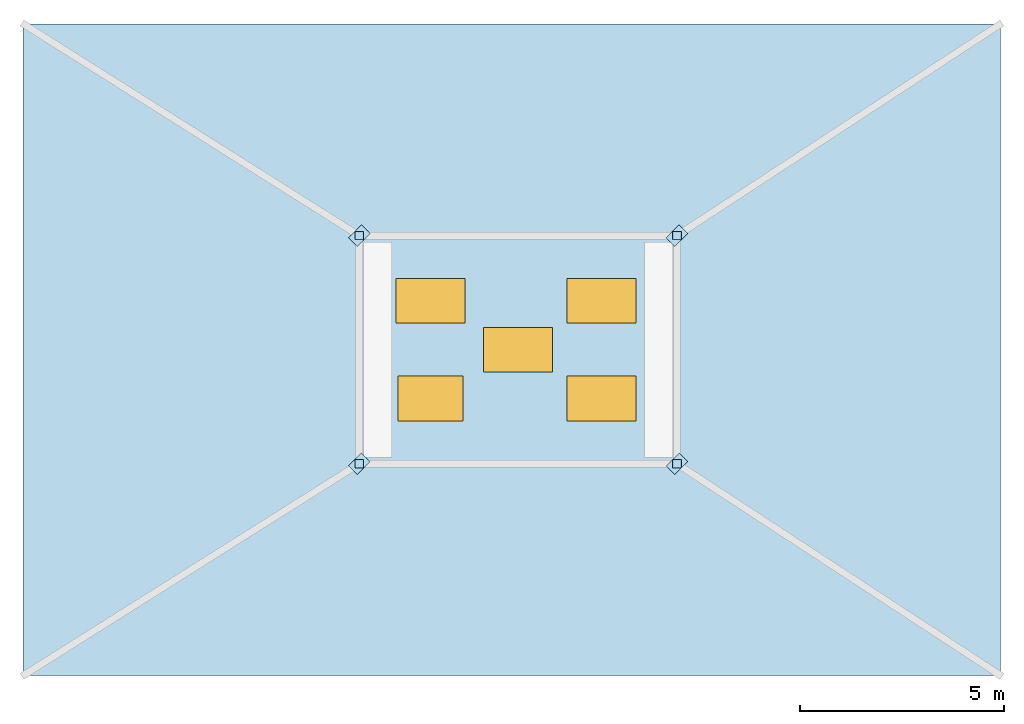
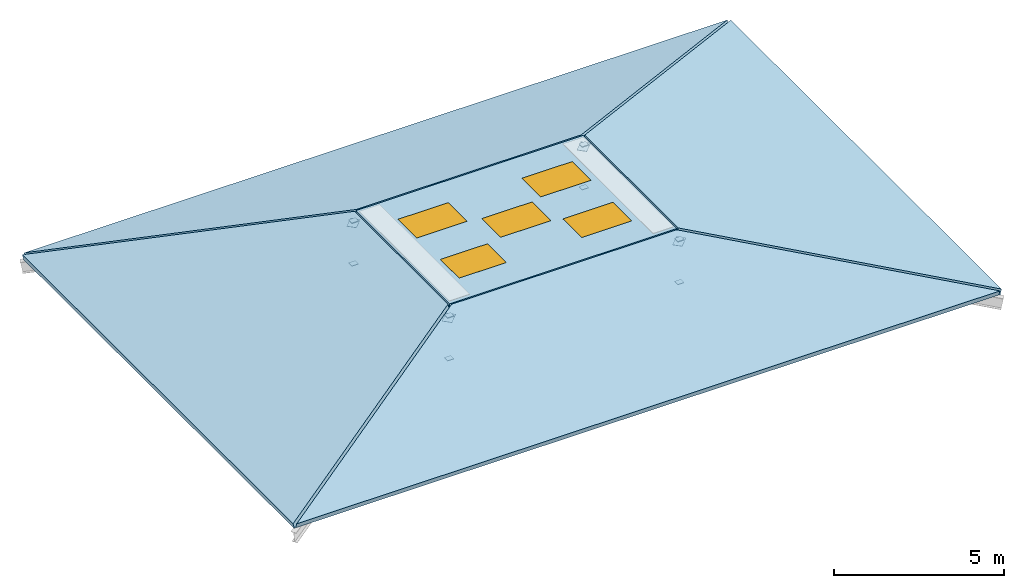
# One storey, part 4 of 5: 12 plates, 5 slabs, 5 windows, 5 openings.
"""IFC4 building model written with IfcOpenShell, lengths in metres."""

from ifc_helpers import new_model, si_unit, direction, frame, origin, origin_2d, place, context, subcontext, project, spatial, polyline, rectangle, outline, extrude, material, layer, layer_set, type_object, element, fill, save


model = new_model("IFC4")

# Units and contexts
model_context = context("Model", 3, precision=1e-05, world=origin(), true_north=direction((0.0, 1.0)))
body_context = subcontext(model_context, "Body", "Model", "MODEL_VIEW")
ifc_project = project(units=[si_unit("LENGTHUNIT", "METRE"), si_unit("AREAUNIT", "SQUARE_METRE"), si_unit("VOLUMEUNIT", "CUBIC_METRE"), si_unit("PLANEANGLEUNIT", "RADIAN"), si_unit("MASSUNIT", "GRAM", prefix="KILO")], contexts=[model_context])

# Site, building, storey
site_placement = place(None, origin())
site = spatial("IfcSite", under=ifc_project, at=site_placement, CompositionType="ELEMENT")
building_placement = place(site_placement, origin())
building = spatial("IfcBuilding", under=site, at=building_placement, Name="Celadon Cloister-Ring School", CompositionType="ELEMENT")
storey_placement = place(building_placement, frame((0.0, 0.0, 24.5)))
storey = spatial("IfcBuildingStorey", under=building, at=storey_placement, Name="RF", CompositionType="ELEMENT", Elevation=24.5)

# Plates
ifc_material_1 = material(Name="Structural steel S355JR", Category="steel")
ifc_layer_1 = layer(ifc_material_1, 0.011962890625)
ifc_layer_set_1 = layer_set([ifc_layer_1], Name="Structural steel S355JR")
plate_type_1 = type_object("IfcPlateType", Name="PT-04", PredefinedType="SHEET", material=ifc_layer_set_1)
for number, where, z_axis, x_axis, name in (
    (1, (8.25, 45.199951171875, 1.36181640625), (0.0, 0.0, 1.0), (0.707106781187, 0.707106781187, 0.0), "Gusset Plate 0382"),
    (2, (16.050048828125, 45.199951171875, 1.36181640625), (0.0, 0.0, 1.0), (0.707106781187, 0.707106781187, 0.0), "Gusset Plate 0383"),
    (3, (16.050048828125, 50.800048828125, 1.36181640625), (0.0, 0.0, 1.0), (0.707106781187, 0.707106781187, 0.0), "Gusset Plate 0384"),
    (4, (8.25, 50.800048828125, 1.36181640625), (0.0, 0.0, 1.0), (0.707106781187, 0.707106781187, 0.0), "Gusset Plate 0385"),
):
    element("IfcPlate", number, at=place(storey_placement, frame(where, z_axis=z_axis, x_axis=x_axis)), inside=storey, type_object=plate_type_1, Name=name, PredefinedType="SHEET", context=body_context, shape_type="SweptSolid", body=[
        extrude(rectangle(XDim=0.449951171875, YDim=0.300048828125, at=origin_2d()), origin(), (0.0, 0.0, 1.0), 0.011962890625),
    ])
ifc_material_2 = material(Name="Structural steel S355JR", Category="steel")
ifc_layer_2 = layer(ifc_material_2, 0.01611328125)
ifc_layer_set_2 = layer_set([ifc_layer_2], Name="Structural steel S355JR")
plate_type_2 = type_object("IfcPlateType", Name="PT-06", PredefinedType="SHEET", material=ifc_layer_set_2)
for number, where, z_axis, x_axis, name in (
    (5, (8.25, 45.199951171875, -0.093994140625), (0.0, 0.0, 1.0), (1.0, 0.0, 0.0), "Gusset Plate 0374"),
    (6, (8.25, 45.199951171875, 1.446044921875), (0.0, 0.0, 1.0), (1.0, 0.0, 0.0), "Gusset Plate 0375"),
    (7, (16.050048828125, 45.199951171875, -0.093994140625), (0.0, 0.0, 1.0), (1.0, 0.0, 0.0), "Gusset Plate 0376"),
    (8, (16.050048828125, 45.199951171875, 1.446044921875), (0.0, 0.0, 1.0), (1.0, 0.0, 0.0), "Gusset Plate 0377"),
    (9, (16.050048828125, 50.800048828125, -0.093994140625), (0.0, 0.0, 1.0), (1.0, 0.0, 0.0), "Gusset Plate 0378"),
    (10, (16.050048828125, 50.800048828125, 1.446044921875), (0.0, 0.0, 1.0), (1.0, 0.0, 0.0), "Gusset Plate 0379"),
    (11, (8.25, 50.800048828125, -0.093994140625), (0.0, 0.0, 1.0), (1.0, 0.0, 0.0), "Gusset Plate 0380"),
    (12, (8.25, 50.800048828125, 1.446044921875), (0.0, 0.0, 1.0), (1.0, 0.0, 0.0), "Gusset Plate 0381"),
):
    element("IfcPlate", number, at=place(storey_placement, frame(where, z_axis=z_axis, x_axis=x_axis)), inside=storey, type_object=plate_type_2, Name=name, PredefinedType="SHEET", context=body_context, shape_type="SweptSolid", body=[
        extrude(rectangle(XDim=0.219970703125, YDim=0.199951171875, at=origin_2d()), origin(), (0.0, 0.0, 1.0), 0.01611328125),
    ])

# Slabs
ifc_material_3 = material(Name="Concrete C35/45", Category="concrete")
ifc_layer_3 = layer(ifc_material_3, 0.199951171875)
ifc_layer_set_3 = layer_set([ifc_layer_3], Name="Concrete C35/45")
slab_type_1 = type_object("IfcSlabType", Name="SL-RF2", PredefinedType="ROOF", material=ifc_layer_set_3)
slab_1_placement = place(storey_placement, frame((15.9619140625, 45.199951171875, 1.820068359375), z_axis=(0.0, -0.330364242117, 0.943853520167), x_axis=(0.821935847133, -0.537600159934, -0.188168890197)))
element("IfcSlab", 13, at=slab_1_placement, inside=storey, type_object=slab_type_1, Name="Science South Hipped Roof 0220", PredefinedType="ROOF", context=body_context, shape_type="SweptSolid", body=[
    extrude(outline(polyline([(0.0, 0.0), (9.672525343961585, 6.106226635438361e-16), (-9.907648065207683, -13.568548812193766), (-6.264652151277021, -4.341240331723057), (0.0, 0.0)])), origin(), (0.0, 0.0, -1.0), 0.199951171875),
])
slab_2_placement = place(storey_placement, frame((16.050048828125, 50.742919921875, 1.820068359375), z_axis=(0.223166987396, 0.0, 0.974780229455), x_axis=(0.821916504741, 0.537629258698, -0.188170240544)))
element("IfcSlab", 14, at=slab_2_placement, inside=storey, type_object=slab_type_1, Name="Science East Hipped Roof 0221", PredefinedType="ROOF", context=body_context, shape_type="SweptSolid", body=[
    extrude(outline(polyline([(0.0, 0.0), (9.672455931982407, 5.551115123125783e-17), (1.1315536215640347, -13.394973170190786), (-2.949348008530826, -4.625557816723328), (0.0, 0.0)])), origin(), (0.0, 0.0, -1.0), 0.199951171875),
])
slab_3_placement = place(storey_placement, frame((8.340087890625, 50.800048828125, 1.820068359375), z_axis=(0.0, 0.330364242117, 0.943853520167), x_axis=(-0.831618404684, 0.524166678544, -0.183466950962)))
element("IfcSlab", 15, at=slab_3_placement, inside=storey, type_object=slab_type_1, Name="Science North Hipped Roof 0222", PredefinedType="ROOF", context=body_context, shape_type="SweptSolid", body=[
    extrude(outline(polyline([(0.0, 0.0), (9.920415365431136, -1.1102230246251565e-16), (-9.890416137746815, -13.229499716720817), (-6.338450921831539, -4.232761994940376), (0.0, 0.0)])), origin(), (0.0, 0.0, -1.0), 0.199951171875),
])
slab_4_placement = place(storey_placement, frame((8.25, 45.257080078125, 1.820068359375), z_axis=(-0.215433970858, 0.0, 0.976518409555), x_axis=(-0.831607677012, -0.524184526525, -0.183464584284)))
element("IfcSlab", 16, at=slab_4_placement, inside=storey, type_object=slab_type_1, Name="Science West Hipped Roof 0223", PredefinedType="ROOF", context=body_context, shape_type="SweptSolid", body=[
    extrude(outline(polyline([(0.0, 0.0), (9.920543337990365, -5.828670879282072e-16), (1.5932271414539634, -13.528788691865339), (-2.8755923610907166, -4.671767049426989), (0.0, 0.0)])), origin(), (0.0, 0.0, -1.0), 0.199951171875),
])

# Slab, openings, windows
ifc_material_4 = material(Name="Concrete C35/45", Category="concrete")
ifc_layer_4 = layer(ifc_material_4, 0.219970703125)
ifc_layer_set_4 = layer_set([ifc_layer_4], Name="Concrete C35/45")
slab_type_2 = type_object("IfcSlabType", Name="SL-RF3", PredefinedType="ROOF", material=ifc_layer_set_4)
slab_5_placement = place(storey_placement, frame((0.0, 0.0, 1.60009765625)))
slab_5 = element("IfcSlab", 17, at=slab_5_placement, inside=storey, type_object=slab_type_2, Name="Science Wing Lantern Roof", PredefinedType="ROOF", context=body_context, shape_type="SweptSolid", body=[
    extrude(outline(polyline([(8.300048828125, 45.25), (16.0, 45.25), (16.0, 50.75), (8.300048828125, 50.75), (8.300048828125, 45.25)])), origin(), (0.0, 0.0, 1.0), 0.219970703125),
])
opening_1_placement = place(slab_5_placement, frame((10.0, 46.800048828125, 0.0)))
opening_1 = element("IfcOpeningElement", 18, at=opening_1_placement, cuts=slab_5, Name="Opening SK-01", PredefinedType="OPENING", context=body_context, shape_type="SweptSolid", body=[
    extrude(rectangle(XDim=1.60009765625, YDim=1.10009765625, at=origin_2d()), origin(), (0.0, 0.0, 1.0), 0.219970703125),
])
opening_2_placement = place(slab_5_placement, frame((14.199951171875, 46.800048828125, 0.0)))
opening_2 = element("IfcOpeningElement", 19, at=opening_2_placement, cuts=slab_5, Name="Opening SK-02", PredefinedType="OPENING", context=body_context, shape_type="SweptSolid", body=[
    extrude(rectangle(XDim=1.699951171875, YDim=1.10009765625, at=origin_2d()), origin(), (0.0, 0.0, 1.0), 0.219970703125),
])
opening_3_placement = place(slab_5_placement, frame((12.14990234375, 48.0, 0.0)))
opening_3 = element("IfcOpeningElement", 20, at=opening_3_placement, cuts=slab_5, Name="Opening SK-02", PredefinedType="OPENING", context=body_context, shape_type="SweptSolid", body=[
    extrude(rectangle(XDim=1.699951171875, YDim=1.10009765625, at=origin_2d()), origin(), (0.0, 0.0, 1.0), 0.219970703125),
])
opening_4_placement = place(slab_5_placement, frame((10.0, 49.199951171875, 0.0)))
opening_4 = element("IfcOpeningElement", 21, at=opening_4_placement, cuts=slab_5, Name="Opening SK-02", PredefinedType="OPENING", context=body_context, shape_type="SweptSolid", body=[
    extrude(rectangle(XDim=1.699951171875, YDim=1.10009765625, at=origin_2d()), origin(), (0.0, 0.0, 1.0), 0.219970703125),
])
opening_5_placement = place(slab_5_placement, frame((14.199951171875, 49.199951171875, 0.0)))
opening_5 = element("IfcOpeningElement", 22, at=opening_5_placement, cuts=slab_5, Name="Opening SK-02", PredefinedType="OPENING", context=body_context, shape_type="SweptSolid", body=[
    extrude(rectangle(XDim=1.699951171875, YDim=1.10009765625, at=origin_2d()), origin(), (0.0, 0.0, 1.0), 0.219970703125),
])
ifc_material_5 = material(Name="Tempered laminated insulating glass", Category="glass")
window_type_1 = type_object("IfcWindowType", Name="SK-01", PartitioningType="SINGLE_PANEL", PredefinedType="SKYLIGHT", material=ifc_material_5)
window_1_placement = place(opening_1_placement, frame((0.0, 0.0, 0.169921875)))
window_1 = element("IfcWindow", 23, at=window_1_placement, inside=storey, type_object=window_type_1, Name="Lantern Skylight 01", OverallHeight=1.10009765625, OverallWidth=1.60009765625, PartitioningType="SINGLE_PANEL", PredefinedType="SKYLIGHT", context=body_context, shape_type="SweptSolid", body=[
    extrude(rectangle(XDim=1.60009765625, YDim=1.10009765625, at=origin_2d()), origin(), (0.0, 0.0, 1.0), 0.050048828125),
])
fill(opening_1, window_1)
ifc_material_6 = material(Name="Tempered laminated insulating glass", Category="glass")
window_type_2 = type_object("IfcWindowType", Name="SK-02", PartitioningType="SINGLE_PANEL", PredefinedType="SKYLIGHT", material=ifc_material_6)
window_2_placement = place(opening_2_placement, frame((0.0, 0.0, 0.169921875)))
window_2 = element("IfcWindow", 24, at=window_2_placement, inside=storey, type_object=window_type_2, Name="Lantern Skylight 02", OverallHeight=1.10009765625, OverallWidth=1.699951171875, PartitioningType="SINGLE_PANEL", PredefinedType="SKYLIGHT", context=body_context, shape_type="SweptSolid", body=[
    extrude(rectangle(XDim=1.699951171875, YDim=1.10009765625, at=origin_2d()), origin(), (0.0, 0.0, 1.0), 0.050048828125),
])
fill(opening_2, window_2)
window_3_placement = place(opening_3_placement, frame((0.0, 0.0, 0.169921875)))
window_3 = element("IfcWindow", 25, at=window_3_placement, inside=storey, type_object=window_type_2, Name="Lantern Skylight 03", OverallHeight=1.10009765625, OverallWidth=1.699951171875, PartitioningType="SINGLE_PANEL", PredefinedType="SKYLIGHT", context=body_context, shape_type="SweptSolid", body=[
    extrude(rectangle(XDim=1.699951171875, YDim=1.10009765625, at=origin_2d()), origin(), (0.0, 0.0, 1.0), 0.050048828125),
])
fill(opening_3, window_3)
window_4_placement = place(opening_4_placement, frame((0.0, 0.0, 0.169921875)))
window_4 = element("IfcWindow", 26, at=window_4_placement, inside=storey, type_object=window_type_2, Name="Lantern Skylight 04", OverallHeight=1.10009765625, OverallWidth=1.699951171875, PartitioningType="SINGLE_PANEL", PredefinedType="SKYLIGHT", context=body_context, shape_type="SweptSolid", body=[
    extrude(rectangle(XDim=1.699951171875, YDim=1.10009765625, at=origin_2d()), origin(), (0.0, 0.0, 1.0), 0.050048828125),
])
fill(opening_4, window_4)
window_5_placement = place(opening_5_placement, frame((0.0, 0.0, 0.169921875)))
window_5 = element("IfcWindow", 27, at=window_5_placement, inside=storey, type_object=window_type_2, Name="Lantern Skylight 05", OverallHeight=1.10009765625, OverallWidth=1.699951171875, PartitioningType="SINGLE_PANEL", PredefinedType="SKYLIGHT", context=body_context, shape_type="SweptSolid", body=[
    extrude(rectangle(XDim=1.699951171875, YDim=1.10009765625, at=origin_2d()), origin(), (0.0, 0.0, 1.0), 0.050048828125),
])
fill(opening_5, window_5)

save(model, "model.ifc")
